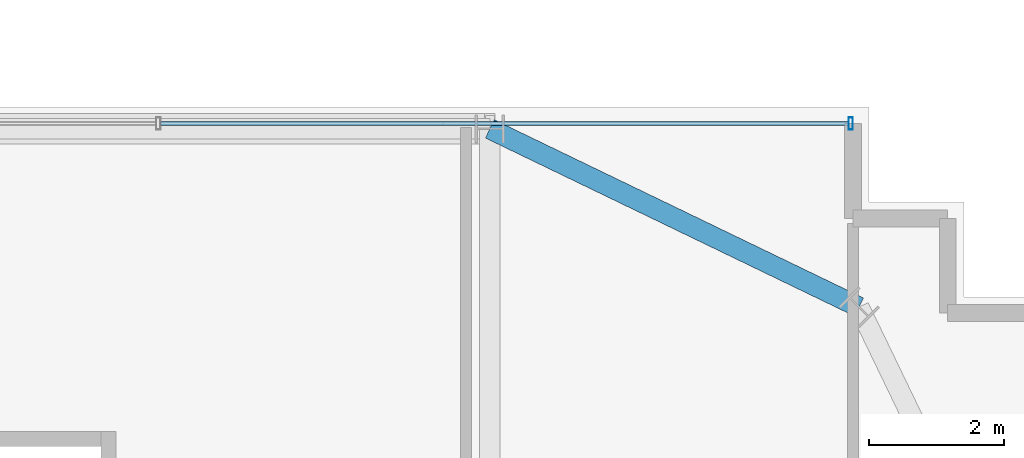
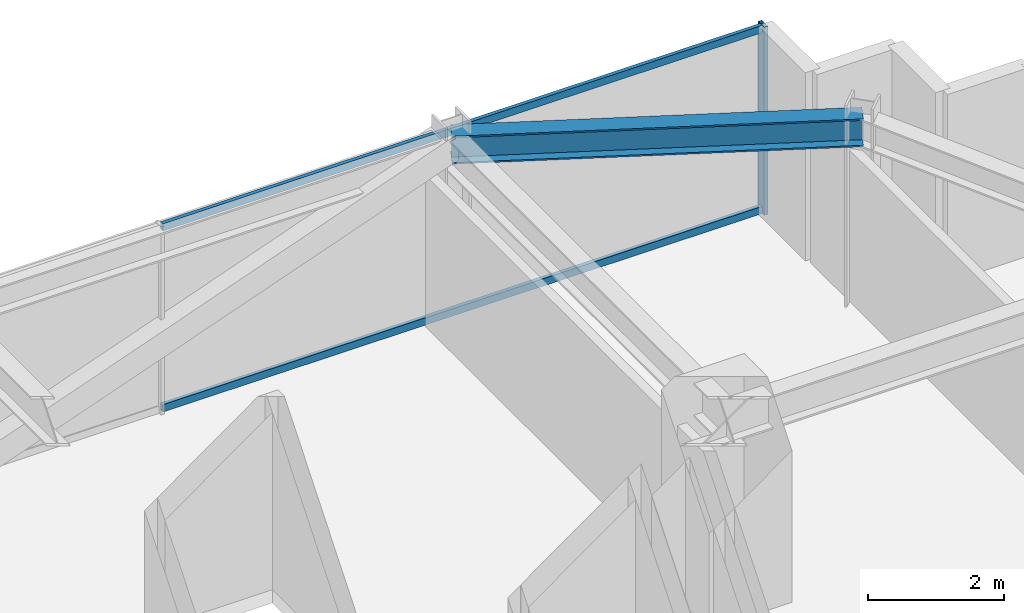
# One storey, part 28 of 39: 3 members, 1 beam, 1 element without a shape of its own.
"""IFC4 building model written with IfcOpenShell, lengths in metres."""

from ifc_helpers import new_model, si_unit, direction, frame, origin, origin_2d, place, context, subcontext, project, spatial, hollow_rectangle, i_section, extrude, source, transform, mapped, material, material_profile, profile_set, type_object, element, aggregate, save


model = new_model("IFC4")

# Units and contexts
model_context = context("Model", 3, precision=1e-05, world=origin(), true_north=direction((0.0, 1.0)))
body_context = subcontext(model_context, "Body", "Model", "MODEL_VIEW")
ifc_project = project(units=[si_unit("LENGTHUNIT", "METRE"), si_unit("AREAUNIT", "SQUARE_METRE"), si_unit("VOLUMEUNIT", "CUBIC_METRE"), si_unit("PLANEANGLEUNIT", "RADIAN"), si_unit("MASSUNIT", "GRAM", prefix="KILO")], contexts=[model_context])

# Site, building, storey
site_placement = place(None, origin())
site = spatial("IfcSite", under=ifc_project, at=site_placement, CompositionType="ELEMENT")
building_placement = place(site_placement, origin())
building = spatial("IfcBuilding", under=site, at=building_placement, Name="Nahalor Promenade Grand Hotel", CompositionType="ELEMENT")
storey_placement = place(building_placement, frame((0.0, 0.0, 32.39990234375)))
storey = spatial("IfcBuildingStorey", under=building, at=storey_placement, Name="L06", CompositionType="ELEMENT", Elevation=32.39990234375)

# Beam
ifc_material_1 = material(Name="Steel S355JR", Category="steel")
ifc_material_profile_1 = material_profile(ifc_material_1, i_section(OverallWidth=0.3, OverallDepth=0.5, WebThickness=0.0145, FlangeThickness=0.028, at=origin_2d()), Name="HEB 500")
ifc_profile_set_1 = profile_set([ifc_material_profile_1], Name="Steel S355JR")
beam_type = type_object("IfcBeamType", Name="Beam-Spandrel-HEB500", PredefinedType="SPANDREL", material=ifc_profile_set_1)
shared_shape_1 = source(origin(), body_context, "Body", "SweptSolid", [
    extrude(i_section(OverallWidth=0.3, OverallDepth=0.5, WebThickness=0.0145, FlangeThickness=0.028, at=origin_2d()), origin(), (0.0, 0.0, 1.0), 6.051513671875),
])
beam_placement = place(storey_placement, frame((17.0, 25.080078125, 3.1201171875), z_axis=(0.900608818852, -0.434630596492, 0.0), x_axis=(0.434630596492, 0.900608818852, 0.0)))
element("IfcBeam", 1, at=beam_placement, inside=storey, type_object=beam_type, Name="BM-L06-SPC-NE-1", PredefinedType="SPANDREL", context=body_context, shape_type="MappedRepresentation", body=[
    mapped(shared_shape_1, transform((0.0, 0.0, 0.0), scale=1.0)),
])

# Curtain wall, members
ifc_material_2 = material(Name="Anodised Bronze Aluminium EN AW-6063 T6", Category="aluminium")
curtain_wall_type = type_object("IfcCurtainWallType", Name="CW2 Typical Hotel Flush Bronze Unitised Curtain Wall", PredefinedType="USERDEFINED", material=ifc_material_2)
curtain_wall_placement = place(storey_placement, origin())
curtain_wall = element("IfcCurtainWall", 2, at=curtain_wall_placement, inside=storey, type_object=curtain_wall_type, Name="L06 Curtain Wall CW-L06-N-3", ObjectType="UNITISED_CURTAIN_WALL", PredefinedType="USERDEFINED")
ifc_material_profile_2 = material_profile(ifc_material_2, hollow_rectangle(XDim=0.065, YDim=0.18, WallThickness=0.004, at=origin_2d()), Name="CWM 65x180x4")
ifc_profile_set_2 = profile_set([ifc_material_profile_2], Name="Anodised Bronze Aluminium EN AW-6063 T6")
member_type_1 = type_object("IfcMemberType", Name="CWM2 Typical Bronze Mullion 65x180", PredefinedType="MULLION", material=ifc_profile_set_2)
shared_shape_2 = source(origin(), body_context, "Body", "SweptSolid", [
    extrude(hollow_rectangle(XDim=0.065, YDim=0.18, WallThickness=0.004, at=origin_2d()), origin(), (0.0, 0.0, 1.0), 3.3701171875),
])
member_1_placement = place(storey_placement, frame((22.327392578125, 25.159912109375, 0.0), z_axis=(0.0, 0.0, 1.0), x_axis=(1.0, 0.0, 0.0)))
member_1 = element("IfcMember", 3, at=member_1_placement, type_object=member_type_1, Name="CW-L06-N-3 Mullion 3", PredefinedType="MULLION", context=body_context, shape_type="MappedRepresentation", body=[
    mapped(shared_shape_2, transform((0.0, 0.0, 0.0), scale=1.0)),
])
ifc_material_profile_3 = material_profile(ifc_material_2, hollow_rectangle(XDim=0.065, YDim=0.13, WallThickness=0.004, at=origin_2d()), Name="CWT 65x130x4")
ifc_profile_set_3 = profile_set([ifc_material_profile_3], Name="Anodised Bronze Aluminium EN AW-6063 T6")
member_type_2 = type_object("IfcMemberType", Name="CWT2 Typical Bronze Transom 65x130", PredefinedType="USERDEFINED", material=ifc_profile_set_3)
shared_shape_3 = source(origin(), body_context, "Body", "SweptSolid", [
    extrude(hollow_rectangle(XDim=0.065, YDim=0.13, WallThickness=0.004, at=origin_2d()), origin(), (0.0, 0.0, 1.0), 10.15576171875),
])
member_2_placement = place(storey_placement, frame((12.13916015625, 25.159912109375, 0.065185546875), z_axis=(1.0, 0.0, 0.0), x_axis=(0.0, 1.0, 0.0)))
member_2 = element("IfcMember", 4, at=member_2_placement, type_object=member_type_2, Name="CW-L06-N-3 Transom 2-0", ObjectType="TRANSOM", PredefinedType="USERDEFINED", context=body_context, shape_type="MappedRepresentation", body=[
    mapped(shared_shape_3, transform((0.0, 0.0, 0.0), scale=1.0)),
])
member_3_placement = place(storey_placement, frame((12.13916015625, 25.159912109375, 3.30517578125), z_axis=(1.0, 0.0, 0.0), x_axis=(0.0, 1.0, 0.0)))
member_3 = element("IfcMember", 5, at=member_3_placement, type_object=member_type_2, Name="CW-L06-N-3 Transom 2-1", ObjectType="TRANSOM", PredefinedType="USERDEFINED", context=body_context, shape_type="MappedRepresentation", body=[
    mapped(shared_shape_3, transform((0.0, 0.0, 0.0), scale=1.0)),
])
aggregate(curtain_wall, [member_1, member_2, member_3])

save(model, "model.ifc")
